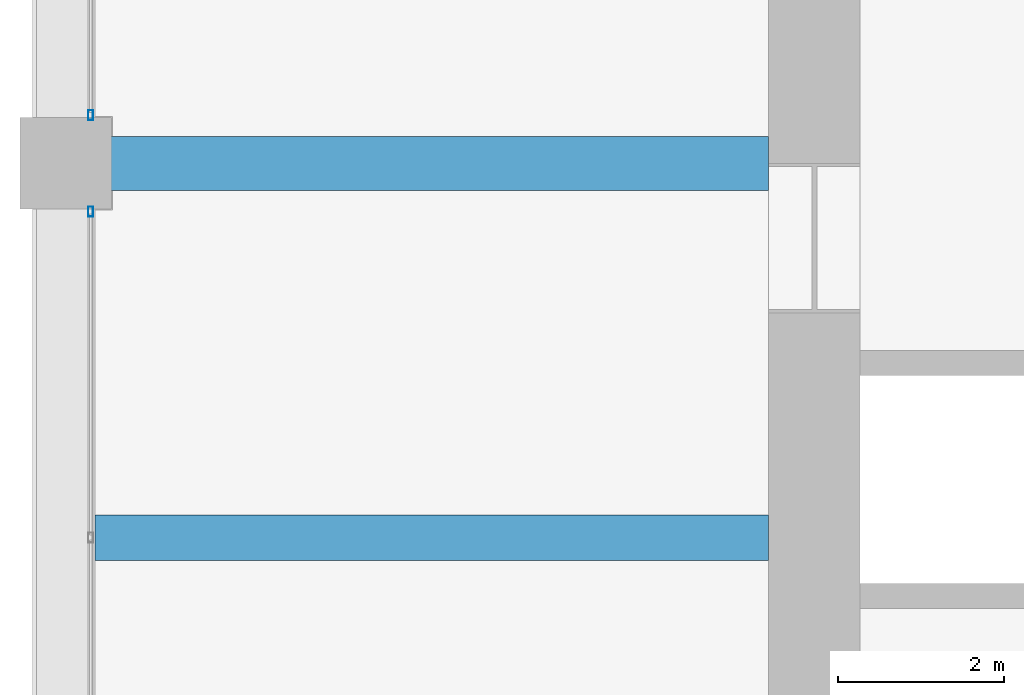
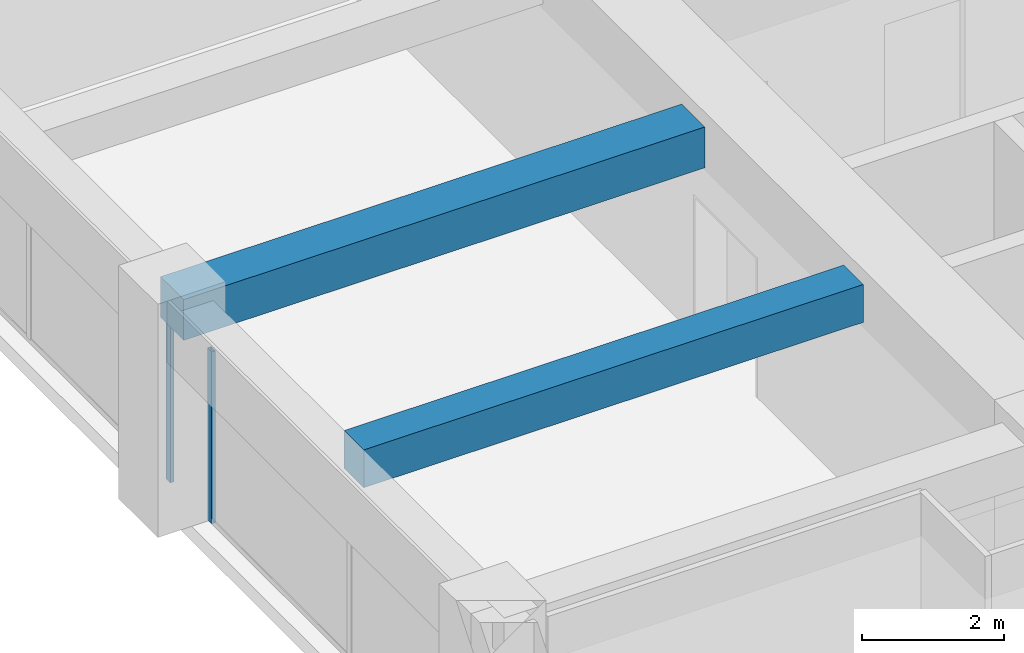
# One storey, part 15 of 44: 2 beams, 2 members, 2 elements without a shape of their own.
"""IFC4 building model written with IfcOpenShell, lengths in metres."""

import ifcopenshell
import ifcopenshell.guid

model = None  # the IFC model being written
_history = None  # IfcOwnerHistory: only IFC2X3 demands one
_inside = {}  # id of a spatial element -> (the spatial element, [elements in it])
_under = {}  # id of a project, library or spatial element -> (it, [spatial elements below it])
_declared = {}  # id of a project -> (the project, [libraries it declares])
_typed = {}  # id of a type object -> (the type object, [elements of that type])
_made_of = {}  # id of a material, layer set ... -> (it, [elements and type objects made of it])


def new_model(schema):
    """Start an empty IFC model of exactly this schema.

    Asked for "IFC4X3", IfcOpenShell would pick the latest addendum, in which some entities
    have other attributes; the version numbers below select the first issue.
    IFC2X3 requires an IfcOwnerHistory on every rooted entity: one is made here for all.
    """
    global model, _history
    if schema == "IFC4X3":
        model = ifcopenshell.file(schema_version=(4, 3, 0, 0))
    else:
        model = ifcopenshell.file(schema=schema)
    _inside.clear()
    _under.clear()
    _declared.clear()
    _typed.clear()
    _made_of.clear()
    _history = None
    if model.schema == "IFC2X3":
        org = make("IfcOrganization", Name="unknown")
        user = make(
            "IfcPersonAndOrganization",
            ThePerson=make("IfcPerson", FamilyName="unknown"),
            TheOrganization=org,
        )
        app = make(
            "IfcApplication",
            ApplicationDeveloper=org,
            Version="unknown",
            ApplicationFullName="unknown",
            ApplicationIdentifier="unknown",
        )
        _history = make(
            "IfcOwnerHistory",
            OwningUser=user,
            OwningApplication=app,
            ChangeAction="ADDED",
            CreationDate=0,
        )
    return model


def make(cls, **values):
    """One entity of the class cls with the attributes given. An attribute that is None is left unset."""
    return model.create_entity(
        cls, **{name: value for name, value in values.items() if value is not None}
    )


def rooted(cls, **values):
    """An entity with a GlobalId (a new one), such as an element, a storey or a relation."""
    return make(cls, GlobalId=ifcopenshell.guid.new(), OwnerHistory=_history, **values)


def si_unit(unit_type, name, prefix=None):
    """IfcSIUnit, for example si_unit("LENGTHUNIT", "METRE", prefix="MILLI")."""
    return make("IfcSIUnit", UnitType=unit_type, Prefix=prefix, Name=name)


def assignment(units):
    """IfcUnitAssignment: the units of a project."""
    return None if units is None else make("IfcUnitAssignment", Units=units)


def point(xyz):
    """IfcCartesianPoint."""
    return None if xyz is None else make("IfcCartesianPoint", Coordinates=xyz)


def direction(xyz):
    """IfcDirection."""
    return None if xyz is None else make("IfcDirection", DirectionRatios=xyz)


def frame(location, z_axis=None, x_axis=None):
    """IfcAxis2Placement3D, a coordinate frame: its origin and axes. An axis left out is left unset."""
    return make(
        "IfcAxis2Placement3D",
        Location=point(location),
        Axis=direction(z_axis),
        RefDirection=direction(x_axis),
    )


def frame_2d(location, x_axis=None):
    """IfcAxis2Placement2D, a coordinate frame in the plane: its origin and x axis."""
    return make(
        "IfcAxis2Placement2D", Location=point(location), RefDirection=direction(x_axis)
    )


def origin():
    """The frame at (0, 0, 0) with its axes left unset."""
    return frame((0.0, 0.0, 0.0))


def origin_2d():
    """The frame at (0, 0) in the plane with its x axis left unset."""
    return frame_2d((0.0, 0.0))


def place(relative_to, where):
    """IfcLocalPlacement: puts the frame where relative to a parent placement (None: the world)."""
    return make(
        "IfcLocalPlacement", PlacementRelTo=relative_to, RelativePlacement=where
    )


def context(
    kind, dimensions, precision=None, world=None, true_north=None, identifier=None
):
    """IfcGeometricRepresentationContext, for example the 3D "Model" context."""
    return make(
        "IfcGeometricRepresentationContext",
        ContextIdentifier=identifier,
        ContextType=kind,
        CoordinateSpaceDimension=dimensions,
        Precision=precision,
        WorldCoordinateSystem=world,
        TrueNorth=true_north,
    )


def subcontext(parent, identifier, kind, view, scale=None):
    """IfcGeometricRepresentationSubContext, for example "Body" below "Model"."""
    return make(
        "IfcGeometricRepresentationSubContext",
        ContextIdentifier=identifier,
        ContextType=kind,
        ParentContext=parent,
        TargetScale=scale,
        TargetView=view,
    )


def project(units=None, contexts=None):
    """IfcProject with its units and contexts."""
    return rooted(
        "IfcProject",
        Name="project",
        RepresentationContexts=contexts,
        UnitsInContext=assignment(units),
    )


def spatial(cls, under=None, at=None, **own):
    """A site, building, storey or space (cls), placed at a placement, below another one or the project."""
    s = rooted(cls, ObjectPlacement=at, **own)
    if under is not None:
        _under.setdefault(under.id(), (under, []))[1].append(s)
    return s


def profile(cls, at=None, kind="AREA", **sizes):
    """A parametric profile (cls). Its sizes go by their IFC names, for example OverallWidth=200.0."""
    return make(cls, ProfileType=kind, Position=at, **sizes)


def rectangle(**sizes):
    """IfcRectangleProfileDef."""
    return profile("IfcRectangleProfileDef", **sizes)


def hollow_rectangle(**sizes):
    """IfcRectangleHollowProfileDef."""
    return profile("IfcRectangleHollowProfileDef", **sizes)


def extrude(swept, where, along, depth):
    """IfcExtrudedAreaSolid: the profile swept, set in the frame where, extruded along a direction by depth."""
    return make(
        "IfcExtrudedAreaSolid",
        SweptArea=swept,
        Position=where,
        ExtrudedDirection=direction(along),
        Depth=depth,
    )


def shape(context_of_items, identifier, shape_type, items):
    """IfcShapeRepresentation: the items that make up one representation, for example the "Body"."""
    return make(
        "IfcShapeRepresentation",
        ContextOfItems=context_of_items,
        RepresentationIdentifier=identifier,
        RepresentationType=shape_type,
        Items=items,
    )


def material(Name=None, Category=None):
    """IfcMaterial."""
    return make("IfcMaterial", Name=Name, Category=Category)


def material_profile(
    of_material, cross_section, Name=None, Category=None, Priority=None
):
    """IfcMaterialProfile: a cross section and its material."""
    return make(
        "IfcMaterialProfile",
        Name=Name,
        Material=of_material,
        Profile=cross_section,
        Priority=Priority,
        Category=Category,
    )


def profile_set(profiles, Name=None, composite=None):
    """IfcMaterialProfileSet."""
    return make(
        "IfcMaterialProfileSet",
        Name=Name,
        MaterialProfiles=profiles,
        CompositeProfile=composite,
    )


def made_of(thing, what):
    """Note that an element or type object is made of a material, layer set ...; save() writes the relation."""
    if what is not None:
        _made_of.setdefault(what.id(), (what, []))[1].append(thing)
    return thing


def type_object(cls, material=None, **own):
    """A type object (cls), such as IfcWallType, which elements share."""
    return made_of(rooted(cls, **own), material)


def element(
    cls,
    number,
    at=None,
    inside=None,
    cuts=None,
    type_object=None,
    material=None,
    context=None,
    identifier="Body",
    shape_type=None,
    held_by="IfcProductDefinitionShape",
    body=None,
    shapes=None,
    **own,
):
    """One element of the class cls, such as IfcWall. Its Tag is "e" and its number.

    at: its placement. inside: the storey or other place that contains it. cuts: it is an
    opening in that element (IfcRelVoidsElement). A single representation is given by context,
    identifier, shape_type and body (its items); several are given by shapes. held_by: the class
    of the entity that holds the representations. save() writes the other relations.
    """
    e = rooted(cls, Tag="e%d" % number, ObjectPlacement=at, **own)
    if body is not None:
        shapes = [shape(context, identifier, shape_type, body)]
    if shapes is not None:
        e.Representation = make(held_by, Representations=shapes)
    if inside is not None:
        _inside.setdefault(inside.id(), (inside, []))[1].append(e)
    if cuts is not None:
        rooted(
            "IfcRelVoidsElement", RelatingBuildingElement=cuts, RelatedOpeningElement=e
        )
    if type_object is not None:
        _typed.setdefault(type_object.id(), (type_object, []))[1].append(e)
    return made_of(e, material)


def aggregate(whole, parts):
    """IfcRelAggregates: a whole, such as a stair, and the parts it consists of."""
    return rooted("IfcRelAggregates", RelatingObject=whole, RelatedObjects=parts)


def save(model, path):
    """Write the relations noted so far, then the file.

    IfcRelAggregates (storeys below a building ...), IfcRelContainedInSpatialStructure (elements
    in a storey), IfcRelDefinesByType, IfcRelAssociatesMaterial and IfcRelDeclares: one each for
    every whole, place, type object, material and project.
    """
    for whole, parts in _under.values():
        aggregate(whole, parts)
    for where, things in _inside.values():
        rooted(
            "IfcRelContainedInSpatialStructure",
            RelatedElements=things,
            RelatingStructure=where,
        )
    for kind, things in _typed.values():
        rooted("IfcRelDefinesByType", RelatedObjects=things, RelatingType=kind)
    for what, things in _made_of.values():
        rooted("IfcRelAssociatesMaterial", RelatedObjects=things, RelatingMaterial=what)
    for by, libraries in _declared.values():
        rooted("IfcRelDeclares", RelatingContext=by, RelatedDefinitions=libraries)
    model.write(path)


model = new_model("IFC4")

# Units and contexts
model_context = context("Model", 3, precision=1e-05, world=origin(), true_north=direction((0.0, 1.0)))
body_context = subcontext(model_context, "Body", "Model", "MODEL_VIEW")
ifc_project = project(units=[si_unit("LENGTHUNIT", "METRE"), si_unit("AREAUNIT", "SQUARE_METRE"), si_unit("VOLUMEUNIT", "CUBIC_METRE"), si_unit("PLANEANGLEUNIT", "RADIAN"), si_unit("MASSUNIT", "GRAM", prefix="KILO")], contexts=[model_context])

# Site, building, storey
site_placement = place(None, origin())
site = spatial("IfcSite", under=ifc_project, at=site_placement, CompositionType="ELEMENT")
building_placement = place(site_placement, origin())
building = spatial("IfcBuilding", under=site, at=building_placement, Name="Zorevar Civic Tower", CompositionType="ELEMENT")
storey_placement = place(building_placement, frame((0.0, 0.0, 299.39990234375)))
storey = spatial("IfcBuildingStorey", under=building, at=storey_placement, Name="L73", CompositionType="ELEMENT", Elevation=299.39990234375)

# Beams
ifc_material_1 = material(Name="Concrete C50/60", Category="concrete")
ifc_material_profile_1 = material_profile(ifc_material_1, rectangle(XDim=0.550048828125, YDim=0.64990234375, at=origin_2d()), Name="RC 550x650")
ifc_profile_set_1 = profile_set([ifc_material_profile_1], Name="Concrete C50/60")
beam_type_1 = type_object("IfcBeamType", Name="Beam RC 550x650", PredefinedType="BEAM", material=ifc_profile_set_1)
beam_1_placement = place(storey_placement, frame((9.35009765625, 22.5, 3.425048828125), z_axis=(1.0, 0.0, 0.0), x_axis=(0.0, 1.0, 0.0)))
element("IfcBeam", 1, at=beam_1_placement, inside=storey, type_object=beam_type_1, Name="Secondary beam L74", PredefinedType="BEAM", context=body_context, shape_type="SweptSolid", body=[
    extrude(rectangle(XDim=0.550048828125, YDim=0.64990234375, at=origin_2d()), origin(), (0.0, 0.0, 1.0), 8.099853515625),
])
ifc_material_2 = material(Name="Concrete C50/60", Category="concrete")
ifc_material_profile_2 = material_profile(ifc_material_2, rectangle(XDim=0.64990234375, YDim=0.699951171875, at=origin_2d()), Name="RC 650x700")
ifc_profile_set_2 = profile_set([ifc_material_profile_2], Name="Concrete C50/60")
beam_type_2 = type_object("IfcBeamType", Name="Beam RC 650x700", PredefinedType="BEAM", material=ifc_profile_set_2)
beam_2_placement = place(storey_placement, frame((9.0, 27.0, 3.400146484375), z_axis=(1.0, 0.0, 0.0), x_axis=(0.0, 1.0, 0.0)))
element("IfcBeam", 2, at=beam_2_placement, inside=storey, type_object=beam_type_2, Name="Girder L74", PredefinedType="BEAM", context=body_context, shape_type="SweptSolid", body=[
    extrude(rectangle(XDim=0.64990234375, YDim=0.699951171875, at=origin_2d()), origin(), (0.0, 0.0, 1.0), 8.449951171875),
])

# Curtain wall, member
ifc_material_3 = material(Name="Dark grey solar-control glass in black aluminium frame", Category="aluminium")
curtain_wall_type = type_object("IfcCurtainWallType", Name="Curtain wall CW5 top zone", PredefinedType="NOTDEFINED", material=ifc_material_3)
curtain_wall_1_placement = place(storey_placement, origin())
curtain_wall_1 = element("IfcCurtainWall", 3, at=curtain_wall_1_placement, inside=storey, type_object=curtain_wall_type, Name="CW5 L73", PredefinedType="NOTDEFINED")
ifc_material_4 = material(Name="Aluminium, black anodised", Category="aluminium")
ifc_material_profile_3 = material_profile(ifc_material_4, hollow_rectangle(XDim=0.06005859375, YDim=0.1201171875, WallThickness=0.0029296875, at=origin_2d()), Name="AL 120x60x3")
ifc_profile_set_3 = profile_set([ifc_material_profile_3], Name="Aluminium, black anodised")
member_type = type_object("IfcMemberType", Name="CW5 mullion AL 120x60x3", PredefinedType="MULLION", material=ifc_profile_set_3)
member_1_placement = place(storey_placement, frame((9.300048828125, 26.419921875, 0.0), z_axis=(0.0, 0.0, 1.0), x_axis=(-1.0, 0.0, 0.0)))
member_1 = element("IfcMember", 4, at=member_1_placement, type_object=member_type, Name="CW5 mullion 3", PredefinedType="MULLION", context=body_context, shape_type="SweptSolid", body=[
    extrude(hollow_rectangle(XDim=0.06005859375, YDim=0.1201171875, WallThickness=0.0029296875, at=origin_2d()), origin(), (0.0, 0.0, 1.0), 2.9501953125),
])
aggregate(curtain_wall_1, [member_1])

curtain_wall_2_placement = place(storey_placement, origin())
curtain_wall_2 = element("IfcCurtainWall", 5, at=curtain_wall_2_placement, inside=storey, type_object=curtain_wall_type, Name="CW5 L73", PredefinedType="NOTDEFINED")
member_2_placement = place(storey_placement, frame((9.300048828125, 27.580078125, 0.0), z_axis=(0.0, 0.0, 1.0), x_axis=(-1.0, 0.0, 0.0)))
member_2 = element("IfcMember", 6, at=member_2_placement, type_object=member_type, Name="CW5 mullion 1", PredefinedType="MULLION", context=body_context, shape_type="SweptSolid", body=[
    extrude(hollow_rectangle(XDim=0.06005859375, YDim=0.1201171875, WallThickness=0.0029296875, at=origin_2d()), origin(), (0.0, 0.0, 1.0), 2.9501953125),
])
aggregate(curtain_wall_2, [member_2])

save(model, "model.ifc")
